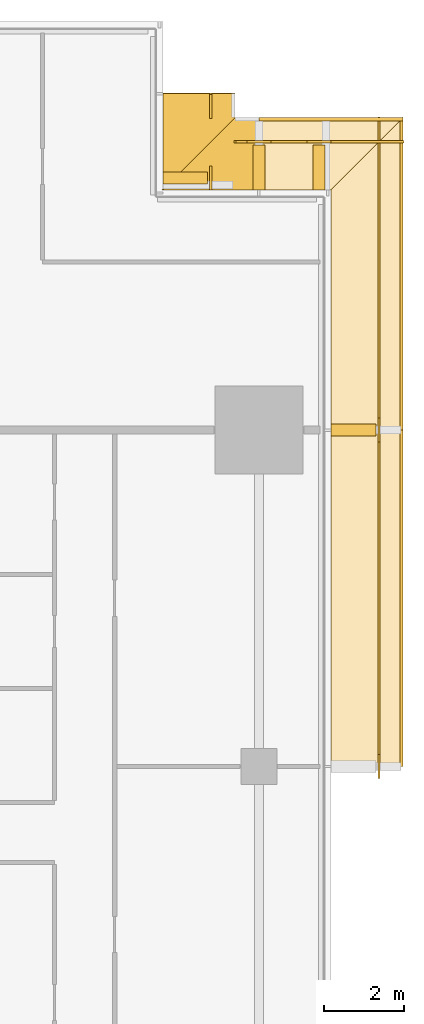
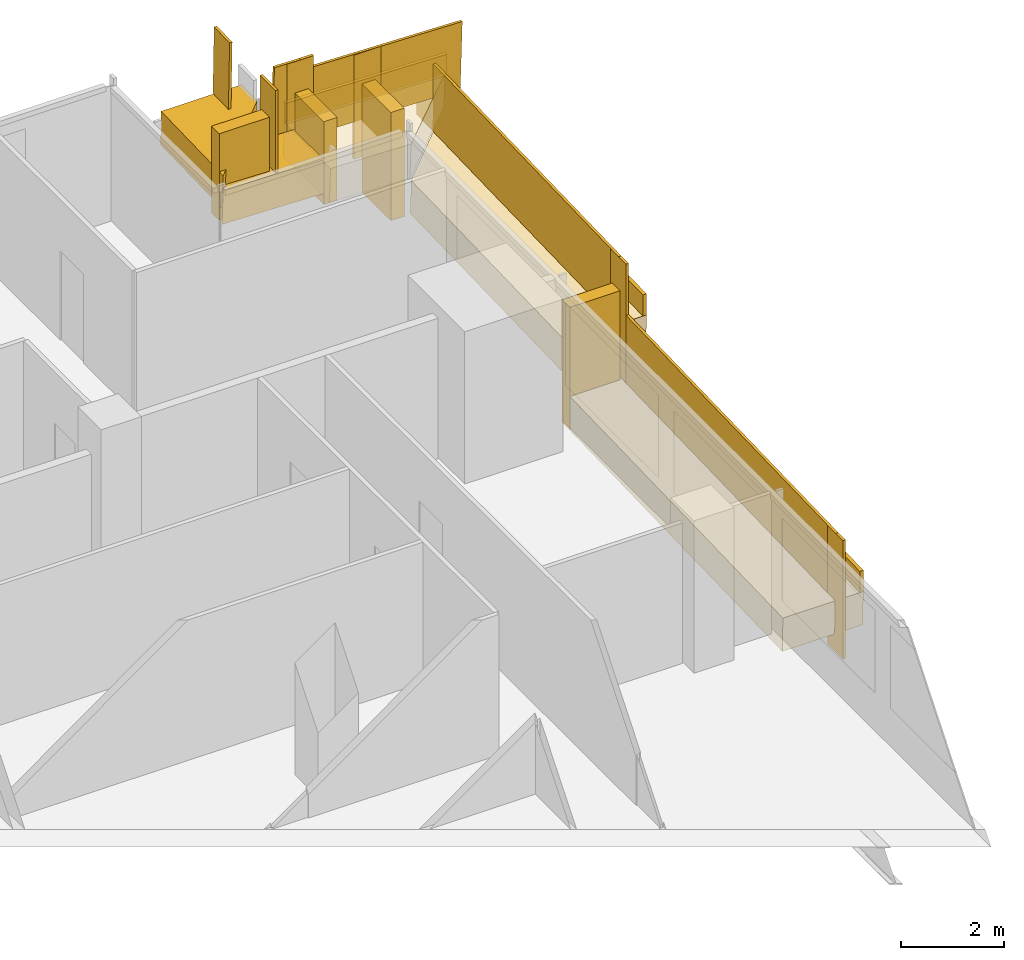
# One storey, part 25 of 27: 12 coverings, 10 railings.
"""IFC4 building model written with IfcOpenShell, lengths in metres."""

from ifc_helpers import new_model, si_unit, direction, frame, origin, origin_2d, place, context, subcontext, project, spatial, polyline, rectangle, outline, extrude, material, layer, layer_set, type_object, element, save


model = new_model("IFC4")

# Units and contexts
model_context = context("Model", 3, precision=1e-05, world=origin(), true_north=direction((0.0, 1.0)))
body_context = subcontext(model_context, "Body", "Model", "MODEL_VIEW")
ifc_project = project(units=[si_unit("LENGTHUNIT", "METRE"), si_unit("AREAUNIT", "SQUARE_METRE"), si_unit("VOLUMEUNIT", "CUBIC_METRE"), si_unit("PLANEANGLEUNIT", "RADIAN"), si_unit("MASSUNIT", "GRAM", prefix="KILO")], contexts=[model_context])

# Site, building, storey
site_placement = place(None, origin())
site = spatial("IfcSite", under=ifc_project, at=site_placement, CompositionType="ELEMENT")
building_placement = place(site_placement, origin())
building = spatial("IfcBuilding", under=site, at=building_placement, Name="Saffron Gate Tower", CompositionType="ELEMENT")
storey_placement = place(building_placement, frame((0.0, 0.0, 76.800048828125)))
storey = spatial("IfcBuildingStorey", under=building, at=storey_placement, Name="L18", CompositionType="ELEMENT", Elevation=76.800048828125)

# Coverings
ifc_material = material(Name="Timber, thermally modified ash", Category="wood")
ifc_layer_1 = layer(ifc_material, 0.800048828125)
ifc_layer_set_1 = layer_set([ifc_layer_1], Name="LD1 ledge timber")
covering_type_1 = type_object("IfcCoveringType", Name="LD1 ledge timber", PredefinedType="CLADDING", material=ifc_layer_set_1)
covering_1_placement = place(storey_placement, frame((127.199951171875, 57.0, 0.2431640625), z_axis=(0.0, -0.028791175352, 0.999585448184), x_axis=(0.0, 0.999585448184, 0.028791175352)))
element("IfcCovering", 1, at=covering_1_placement, inside=storey, type_object=covering_type_1, Name="LEDGE", PredefinedType="CLADDING", context=body_context, shape_type="SweptSolid", body=[
    extrude(outline(polyline([(0.0, 0.0), (8.403385982666892, 0.0), (8.403385982666892, -1.800048828125), (0.0, -1.800048828125), (0.0, 0.0)])), origin(), (0.0, 0.0, -1.0), 0.800048828125),
])
covering_2_placement = place(storey_placement, frame((127.199951171875, 65.39990234375, 1.685302734375), z_axis=(-3.5027307e-05, -0.028807146299, 0.99958498743), x_axis=(-3.68e-10, 0.999584988043, 0.028807146316)))
element("IfcCovering", 2, at=covering_2_placement, inside=storey, type_object=covering_type_1, Name="LEDGE", PredefinedType="CLADDING", context=body_context, shape_type="SweptSolid", body=[
    extrude(outline(polyline([(0.0, 0.0), (6.0024892885105, -2.541098841762901e-21), (7.8032891020589235, -1.8000488321003227), (-6.622937652878055e-10, -1.8000488270207489), (0.0, 0.0)])), origin(), (0.0, 0.0, -1.0), 0.800048828125),
])
covering_3_placement = place(storey_placement, frame((127.199951171875, 71.39990234375, 2.715576171875), z_axis=(0.028831989003, -4.5191205e-05, 0.999584270769), x_axis=(-0.999584271789, 2.041e-09, 0.028831989032)))
element("IfcCovering", 3, at=covering_3_placement, inside=storey, type_object=covering_type_1, Name="LEDGE", PredefinedType="CLADDING", context=body_context, shape_type="SweptSolid", body=[
    extrude(outline(polyline([(0.0, 0.0), (1.8007998167885757, 0.0), (1.8007998204631834, -1.80004882628693), (-1.8007927740541456, -1.800048837315338), (0.0, 0.0)])), origin(), (0.0, 0.0, -1.0), 0.800048828125),
])
covering_4_placement = place(storey_placement, frame((125.39990234375, 71.39990234375, 3.024658203125), z_axis=(0.028798988267, -2.8677152e-05, 0.999585222706), x_axis=(-0.999585223117, -6.17e-10, 0.028798988279)))
element("IfcCovering", 4, at=covering_4_placement, inside=storey, type_object=covering_type_1, Name="LEDGE", PredefinedType="CLADDING", context=body_context, shape_type="SweptSolid", body=[
    extrude(outline(polyline([(0.0, 0.0), (2.400896693585025, 4.235164736271502e-22), (0.6001039103565923, -1.8000488292351675), (-1.1098572600196767e-09, -1.8000488273848385), (0.0, 0.0)])), origin(), (0.0, 0.0, -1.0), 0.800048828125),
])
covering_5_placement = place(storey_placement, frame((123.0, 71.39990234375, 3.436767578125), z_axis=(-8.2123318e-05, -0.028713032424, 0.999587692514), x_axis=(5.056e-09, 0.999587695884, 0.028713032521)))
element("IfcCovering", 5, at=covering_5_placement, inside=storey, type_object=covering_type_1, Name="LEDGE", PredefinedType="CLADDING", context=body_context, shape_type="SweptSolid", body=[
    extrude(outline(polyline([(0.0, 0.0), (2.401140729112013, 0.0), (2.401140738212904, -1.8000488220550201), (1.800799803456976, -1.8000488372302523), (0.0, 0.0)])), origin(), (0.0, 0.0, -1.0), 0.800048828125),
])
ifc_layer_2 = layer(ifc_material, 0.080078125)
ifc_layer_set_2 = layer_set([ifc_layer_2], Name="LD2 ledge planter trough")
covering_type_2 = type_object("IfcCoveringType", Name="LD2 ledge planter trough", PredefinedType="CLADDING", material=ifc_layer_set_2)
covering_6_placement = place(storey_placement, frame((129.0, 57.0, 0.2431640625), z_axis=(1.0, 0.0, 0.0), x_axis=(0.0, 0.999585448184, 0.028791175352)))
element("IfcCovering", 6, at=covering_6_placement, inside=storey, type_object=covering_type_2, Name="LEDGE planter trough", PredefinedType="CLADDING", context=body_context, shape_type="SweptSolid", body=[
    extrude(outline(polyline([(0.0, 0.0), (8.403385982666892, 0.0), (8.417781570342743, 0.49979272409216496), (0.014395587675851172, 0.4997927240921649), (0.0, 0.0)])), origin(), (0.0, 0.0, -1.0), 0.080078125),
])
covering_7_placement = place(storey_placement, frame((129.0, 65.39990234375, 1.685302734375), z_axis=(1.0, 0.0, 0.0), x_axis=(0.0, 0.999584755248, 0.028815222999)))
element("IfcCovering", 7, at=covering_7_placement, inside=storey, type_object=covering_type_2, Name="LEDGE planter trough", PredefinedType="CLADDING", context=body_context, shape_type="SweptSolid", body=[
    extrude(outline(polyline([(0.0, 0.0), (7.803289102975944, 0.0), (7.8176967144752565, 0.4997923776238338), (0.014407611499312996, 0.4997923776238338), (0.0, 0.0)])), origin(), (0.0, 0.0, -1.0), 0.080078125),
])
covering_8_placement = place(storey_placement, frame((129.0, 73.199951171875, 2.663818359375), z_axis=(0.0, 1.0, 0.0), x_axis=(-0.99958492274, 0.0, 0.028809412191)))
element("IfcCovering", 8, at=covering_8_placement, inside=storey, type_object=covering_type_2, Name="LEDGE planter trough", PredefinedType="CLADDING", context=body_context, shape_type="SweptSolid", body=[
    extrude(outline(polyline([(0.0, 0.0), (3.601592595435983, 0.0), (3.6159973015313485, 0.4997924613700232), (0.014404706095365512, 0.4997924613700232), (0.0, 0.0)])), origin(), (0.0, 0.0, -1.0), 0.080078125),
])
ifc_layer_3 = layer(ifc_material, 0.300048828125)
ifc_layer_set_3 = layer_set([ifc_layer_3], Name="LD3 ledge riser fin")
covering_type_3 = type_object("IfcCoveringType", Name="LD3 ledge riser fin", PredefinedType="CLADDING", material=ifc_layer_set_3)
covering_9_placement = place(storey_placement, frame((127.760009765625, 65.39990234375, -0.31494140625), z_axis=(0.0, 0.0, 1.0), x_axis=(0.0, 1.0, 0.0)))
element("IfcCovering", 9, at=covering_9_placement, inside=storey, type_object=covering_type_3, Name="LEDGE riser fin", PredefinedType="CLADDING", context=body_context, shape_type="SweptSolid", body=[
    extrude(rectangle(XDim=0.300048828125, YDim=1.1201171875, at=origin_2d()), origin(), (0.0, 0.0, 1.0), 2.900390625),
])
covering_10_placement = place(storey_placement, frame((126.89990234375, 71.9599609375, 1.05810546875), z_axis=(0.0, 0.0, 1.0), x_axis=(-1.0, 0.0, 0.0)))
element("IfcCovering", 10, at=covering_10_placement, inside=storey, type_object=covering_type_3, Name="LEDGE riser fin", PredefinedType="CLADDING", context=body_context, shape_type="SweptSolid", body=[
    extrude(rectangle(XDim=0.300048828125, YDim=1.1201171875, at=origin_2d()), origin(), (0.0, 0.0, 1.0), 2.557373046875),
])
covering_11_placement = place(storey_placement, frame((125.39990234375, 71.9599609375, 1.96728515625), z_axis=(0.0, 0.0, 1.0), x_axis=(-1.0, 0.0, 0.0)))
element("IfcCovering", 11, at=covering_11_placement, inside=storey, type_object=covering_type_3, Name="LEDGE riser fin", PredefinedType="CLADDING", context=body_context, shape_type="SweptSolid", body=[
    extrude(rectangle(XDim=0.300048828125, YDim=1.1201171875, at=origin_2d()), origin(), (0.0, 0.0, 1.0), 1.957275390625),
])
covering_12_placement = place(storey_placement, frame((123.56005859375, 71.699951171875, 2.2939453125), z_axis=(0.0, 0.0, 1.0), x_axis=(0.0, 1.0, 0.0)))
element("IfcCovering", 12, at=covering_12_placement, inside=storey, type_object=covering_type_3, Name="LEDGE riser fin", PredefinedType="CLADDING", context=body_context, shape_type="SweptSolid", body=[
    extrude(rectangle(XDim=0.300048828125, YDim=1.1201171875, at=origin_2d()), origin(), (0.0, 0.0, 1.0), 2.04296875),
])

# Railings
railing_type = type_object("IfcRailingType", Name="LG1 ledge balustrade", PredefinedType="BALUSTRADE", material=ifc_material)
railing_1_placement = place(storey_placement, frame((128.39990234375, 57.0, 0.2431640625)))
element("IfcRailing", 13, at=railing_1_placement, inside=storey, type_object=railing_type, Name="LEDGE BALUSTRADE", PredefinedType="BALUSTRADE", context=body_context, shape_type="SweptSolid", body=[
    extrude(rectangle(XDim=0.06005859375, YDim=1.60009765625, at=origin_2d()), frame((0.0, 0.0, 0.800048828125), z_axis=(0.0, 0.999585448184, 0.028791175352), x_axis=(-1.0, 0.0, 0.0)), (0.0, 0.0, 1.0), 8.4033203125),
])
railing_2_placement = place(storey_placement, frame((128.39990234375, 56.699951171875, -0.957275390625)))
element("IfcRailing", 14, at=railing_2_placement, inside=storey, type_object=railing_type, Name="LEDGE BALUSTRADE", PredefinedType="BALUSTRADE", context=body_context, shape_type="SweptSolid", body=[
    extrude(rectangle(XDim=0.06005859375, YDim=2.80029296875, at=origin_2d()), frame((0.0, 0.0, 1.400146484375), z_axis=(0.0, 1.0, 0.0), x_axis=(-1.0, 0.0, 0.0)), (0.0, 0.0, 1.0), 0.60009765625),
])
railing_3_placement = place(storey_placement, frame((128.39990234375, 65.39990234375, 1.685302734375)))
element("IfcRailing", 15, at=railing_3_placement, inside=storey, type_object=railing_type, Name="LEDGE BALUSTRADE", PredefinedType="BALUSTRADE", context=body_context, shape_type="SweptSolid", body=[
    extrude(rectangle(XDim=0.06005859375, YDim=1.60009765625, at=origin_2d()), frame((0.0, 0.0, 0.800048828125), z_axis=(0.0, 0.999584755248, 0.028815222999), x_axis=(-1.0, 0.0, 0.0)), (0.0, 0.0, 1.0), 7.80322265625),
])
railing_4_placement = place(storey_placement, frame((128.39990234375, 65.10009765625, 0.485107421875)))
element("IfcRailing", 16, at=railing_4_placement, inside=storey, type_object=railing_type, Name="LEDGE BALUSTRADE", PredefinedType="BALUSTRADE", context=body_context, shape_type="SweptSolid", body=[
    extrude(rectangle(XDim=0.06005859375, YDim=2.80029296875, at=origin_2d()), frame((0.0, 0.0, 1.400146484375), z_axis=(0.0, 1.0, 0.0), x_axis=(-1.0, 0.0, 0.0)), (0.0, 0.0, 1.0), 0.599853515625),
])
railing_5_placement = place(storey_placement, frame((129.0, 72.60009765625, 2.663818359375)))
element("IfcRailing", 17, at=railing_5_placement, inside=storey, type_object=railing_type, Name="LEDGE BALUSTRADE", PredefinedType="BALUSTRADE", context=body_context, shape_type="SweptSolid", body=[
    extrude(rectangle(XDim=0.06005859375, YDim=1.60009765625, at=origin_2d()), frame((0.0, 0.0, 0.800048828125), z_axis=(-0.99958492274, 0.0, 0.028809412191), x_axis=(0.0, -1.0, 0.0)), (0.0, 0.0, 1.0), 3.6015625),
])
railing_6_placement = place(storey_placement, frame((127.199951171875, 72.60009765625, 1.858154296875)))
element("IfcRailing", 18, at=railing_6_placement, inside=storey, type_object=railing_type, Name="LEDGE BALUSTRADE", PredefinedType="BALUSTRADE", context=body_context, shape_type="SweptSolid", body=[
    extrude(rectangle(XDim=0.06005859375, YDim=2.45751953125, at=origin_2d()), frame((0.0, 0.0, 1.228759765625), z_axis=(-1.0, 0.0, 0.0), x_axis=(0.0, -1.0, 0.0)), (0.0, 0.0, 1.0), 0.599853515625),
])
railing_7_placement = place(storey_placement, frame((125.39990234375, 72.60009765625, 3.024658203125)))
element("IfcRailing", 19, at=railing_7_placement, inside=storey, type_object=railing_type, Name="LEDGE BALUSTRADE", PredefinedType="BALUSTRADE", context=body_context, shape_type="SweptSolid", body=[
    extrude(rectangle(XDim=0.06005859375, YDim=1.60009765625, at=origin_2d()), frame((0.0, 0.0, 0.800048828125), z_axis=(-0.999582742162, 0.0, 0.028884971385), x_axis=(0.0, -1.0, 0.0)), (0.0, 0.0, 1.0), 0.60009765625),
])
railing_8_placement = place(storey_placement, frame((125.699951171875, 72.60009765625, 2.767578125)))
element("IfcRailing", 20, at=railing_8_placement, inside=storey, type_object=railing_type, Name="LEDGE BALUSTRADE", PredefinedType="BALUSTRADE", context=body_context, shape_type="SweptSolid", body=[
    extrude(rectangle(XDim=0.06005859375, YDim=1.857177734375, at=origin_2d()), frame((0.0, 0.0, 0.9287109375), z_axis=(-1.0, 0.0, 0.0), x_axis=(0.0, -1.0, 0.0)), (0.0, 0.0, 1.0), 0.599853515625),
])
railing_9_placement = place(storey_placement, frame((124.199951171875, 73.199951171875, 3.48876953125)))
element("IfcRailing", 21, at=railing_9_placement, inside=storey, type_object=railing_type, Name="LEDGE BALUSTRADE", PredefinedType="BALUSTRADE", context=body_context, shape_type="SweptSolid", body=[
    extrude(rectangle(XDim=0.06005859375, YDim=1.60009765625, at=origin_2d()), frame((0.0, 0.0, 0.800048828125), z_axis=(0.0, 0.999594735783, 0.028466896463), x_axis=(-1.0, 0.0, 0.0)), (0.0, 0.0, 1.0), 0.600341796875),
])
railing_10_placement = place(storey_placement, frame((124.199951171875, 71.39990234375, 3.09375)))
element("IfcRailing", 22, at=railing_10_placement, inside=storey, type_object=railing_type, Name="LEDGE BALUSTRADE", PredefinedType="BALUSTRADE", context=body_context, shape_type="SweptSolid", body=[
    extrude(rectangle(XDim=0.06005859375, YDim=1.943115234375, at=origin_2d()), frame((0.0, 0.0, 0.9716796875), z_axis=(0.0, 1.0, 0.0), x_axis=(-1.0, 0.0, 0.0)), (0.0, 0.0, 1.0), 0.60009765625),
])

save(model, "model.ifc")
